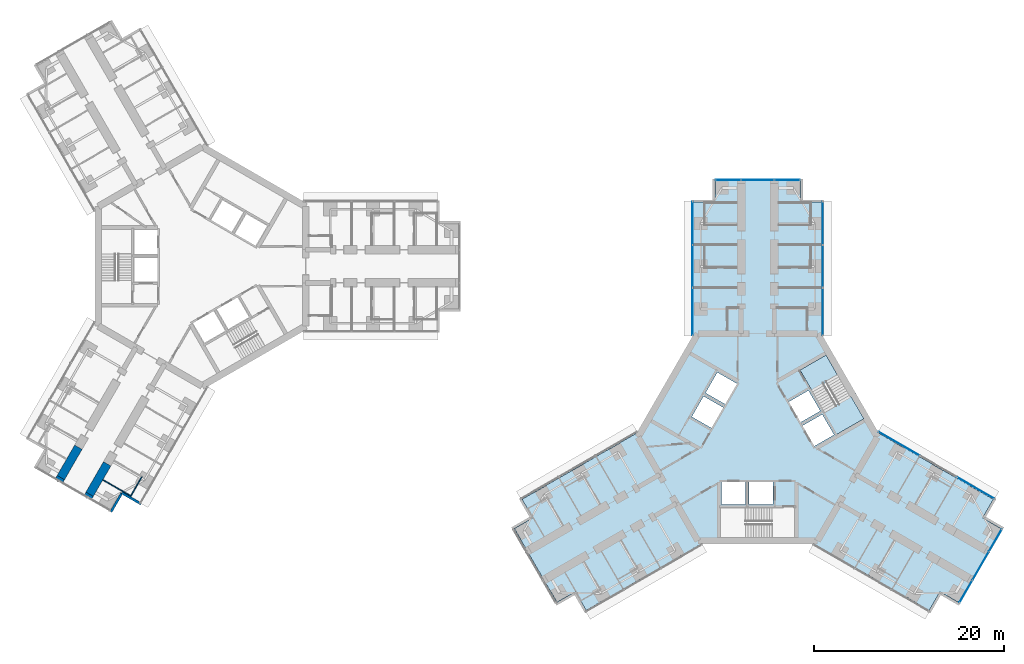
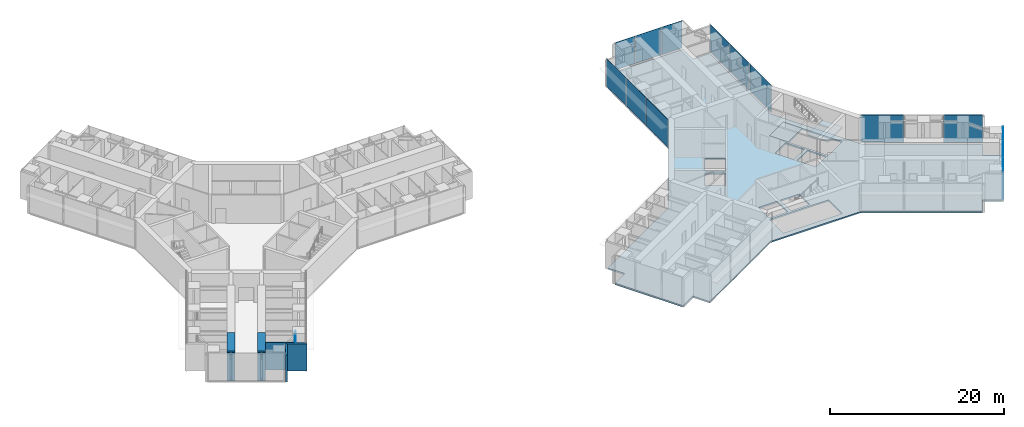
# One storey, part 15 of 25: 14 plates, 8 walls, 3 slabs, 6 elements without a shape of their own.
"""IFC4 building model written with IfcOpenShell, lengths in metres."""

from ifc_helpers import new_model, si_unit, direction, frame, frame_2d, origin, origin_2d, place, context, subcontext, project, spatial, polyline, rectangle, outline, extrude, material, layer, layer_set, type_object, element, aggregate, save


model = new_model("IFC4")

# Units and contexts
model_context = context("Model", 3, precision=1e-05, world=origin(), true_north=direction((0.0, 1.0)))
body_context = subcontext(model_context, "Body", "Model", "MODEL_VIEW")
ifc_project = project(units=[si_unit("LENGTHUNIT", "METRE"), si_unit("AREAUNIT", "SQUARE_METRE"), si_unit("VOLUMEUNIT", "CUBIC_METRE"), si_unit("PLANEANGLEUNIT", "RADIAN"), si_unit("MASSUNIT", "GRAM", prefix="KILO")], contexts=[model_context])

# Site, building, storey
site_placement = place(None, origin())
site = spatial("IfcSite", under=ifc_project, at=site_placement, CompositionType="ELEMENT")
building_placement = place(site_placement, origin())
building = spatial("IfcBuilding", under=site, at=building_placement, Name="Upepo Twin Towers", CompositionType="ELEMENT")
storey_placement = place(building_placement, frame((0.0, 0.0, 84.5)))
storey = spatial("IfcBuildingStorey", under=building, at=storey_placement, Name="L20", CompositionType="ELEMENT", Elevation=84.5)

# Curtain wall, plates
ifc_material_1 = material(Name="Aluminium and fritted glass", Category="aluminium")
curtain_wall_type = type_object("IfcCurtainWallType", Name="Tower curtain wall TW1, fritted glass", PredefinedType="NOTDEFINED", material=ifc_material_1)
curtain_wall_1_placement = place(storey_placement, origin())
curtain_wall_1 = element("IfcCurtainWall", 1, at=curtain_wall_1_placement, inside=storey, type_object=curtain_wall_type, Name="T2 L20 wing A flank L curtain wall", PredefinedType="NOTDEFINED")
ifc_material_2 = material(Name="Ceramic-fritted laminated glass", Category="glass")
ifc_layer_1 = layer(ifc_material_2, 0.031982421875)
ifc_layer_set_1 = layer_set([ifc_layer_1], Name="Fritted glass panel, 30 per cent dot frit, 32 mm double glazed")
plate_type_1 = type_object("IfcPlateType", Name="Fritted glass panel, 30 per cent dot frit, 32 mm double glazed", PredefinedType="CURTAIN_PANEL", material=ifc_layer_set_1)
plate_1_placement = place(storey_placement, frame((51.64990234375, -4.76513671875, 0.14990234375), z_axis=(0.0, 0.0, 1.0), x_axis=(0.0, 1.0, 0.0)))
plate_1 = element("IfcPlate", 2, at=plate_1_placement, type_object=plate_type_1, Name="T2 L20 wing A flank L curtain wall panel 1", PredefinedType="CURTAIN_PANEL", context=body_context, shape_type="SweptSolid", body=[
    extrude(rectangle(XDim=4.96533203125, YDim=0.031982421875, at=origin_2d()), origin(), (0.0, 0.0, 1.0), 3.85009765625),
])
plate_2_placement = place(storey_placement, frame((51.64990234375, 0.0, 0.14990234375), z_axis=(0.0, 0.0, 1.0), x_axis=(0.0, 1.0, 0.0)))
plate_2 = element("IfcPlate", 3, at=plate_2_placement, type_object=plate_type_1, Name="T2 L20 wing A flank L curtain wall panel 2", PredefinedType="CURTAIN_PANEL", context=body_context, shape_type="SweptSolid", body=[
    extrude(rectangle(XDim=4.43505859375, YDim=0.031982421875, at=origin_2d()), origin(), (0.0, 0.0, 1.0), 3.85009765625),
])
plate_3_placement = place(storey_placement, frame((51.64990234375, 4.53369140625, 0.14990234375), z_axis=(0.0, 0.0, 1.0), x_axis=(0.0, 1.0, 0.0)))
plate_3 = element("IfcPlate", 4, at=plate_3_placement, type_object=plate_type_1, Name="T2 L20 wing A flank L curtain wall panel 3", PredefinedType="CURTAIN_PANEL", context=body_context, shape_type="SweptSolid", body=[
    extrude(rectangle(XDim=4.50244140625, YDim=0.031982421875, at=origin_2d()), origin(), (0.0, 0.0, 1.0), 3.85009765625),
])
aggregate(curtain_wall_1, [plate_1, plate_2, plate_3])

curtain_wall_2_placement = place(storey_placement, origin())
curtain_wall_2 = element("IfcCurtainWall", 5, at=curtain_wall_2_placement, inside=storey, type_object=curtain_wall_type, Name="T2 L20 wing A flank R curtain wall", PredefinedType="NOTDEFINED")
plate_4_placement = place(storey_placement, frame((65.35009765625, 4.53369140625, 0.14990234375), z_axis=(0.0, 0.0, 1.0), x_axis=(0.0, -1.0, 0.0)))
plate_4 = element("IfcPlate", 6, at=plate_4_placement, type_object=plate_type_1, Name="T2 L20 wing A flank R curtain wall panel 1", PredefinedType="CURTAIN_PANEL", context=body_context, shape_type="SweptSolid", body=[
    extrude(rectangle(XDim=4.50244140625, YDim=0.031982421875, at=origin_2d()), origin(), (0.0, 0.0, 1.0), 3.85009765625),
])
plate_5_placement = place(storey_placement, frame((65.35009765625, 0.0, 0.14990234375), z_axis=(0.0, 0.0, 1.0), x_axis=(0.0, -1.0, 0.0)))
plate_5 = element("IfcPlate", 7, at=plate_5_placement, type_object=plate_type_1, Name="T2 L20 wing A flank R curtain wall panel 2", PredefinedType="CURTAIN_PANEL", context=body_context, shape_type="SweptSolid", body=[
    extrude(rectangle(XDim=4.43505859375, YDim=0.031982421875, at=origin_2d()), origin(), (0.0, 0.0, 1.0), 3.85009765625),
])
plate_6_placement = place(storey_placement, frame((65.35009765625, -4.76513671875, 0.14990234375), z_axis=(0.0, 0.0, 1.0), x_axis=(0.0, -1.0, 0.0)))
plate_6 = element("IfcPlate", 8, at=plate_6_placement, type_object=plate_type_1, Name="T2 L20 wing A flank R curtain wall panel 3", PredefinedType="CURTAIN_PANEL", context=body_context, shape_type="SweptSolid", body=[
    extrude(rectangle(XDim=4.96533203125, YDim=0.031982421875, at=origin_2d()), origin(), (0.0, 0.0, 1.0), 3.85009765625),
])
aggregate(curtain_wall_2, [plate_4, plate_5, plate_6])

# Curtain wall, plate
curtain_wall_3_placement = place(storey_placement, origin())
curtain_wall_3 = element("IfcCurtainWall", 9, at=curtain_wall_3_placement, inside=storey, type_object=curtain_wall_type, Name="T2 L20 wing A nose curtain wall", PredefinedType="NOTDEFINED")
plate_7_placement = place(storey_placement, frame((58.5, 9.10009765625, 0.14990234375), z_axis=(0.0, 0.0, 1.0), x_axis=(-1.0, 0.0, 0.0)))
plate_7 = element("IfcPlate", 10, at=plate_7_placement, type_object=plate_type_1, Name="T2 L20 wing A nose curtain wall panel 2", PredefinedType="CURTAIN_PANEL", context=body_context, shape_type="SweptSolid", body=[
    extrude(rectangle(XDim=3.43505859375, YDim=0.031982421875, at=origin_2d()), origin(), (0.0, 0.0, 1.0), 3.85009765625),
])

# Curtain wall, plates
curtain_wall_4_placement = place(storey_placement, origin())
curtain_wall_4 = element("IfcCurtainWall", 11, at=curtain_wall_4_placement, inside=storey, type_object=curtain_wall_type, Name="T2 L20 wing C flank L curtain wall", PredefinedType="NOTDEFINED")
plate_8_placement = place(storey_placement, frame((73.38671875, -18.68505859375, 0.14990234375), z_axis=(0.0, 0.0, 1.0), x_axis=(0.866025389682, -0.500000024426, 0.0)))
plate_8 = element("IfcPlate", 12, at=plate_8_placement, type_object=plate_type_1, Name="T2 L20 wing C flank L curtain wall panel 1", PredefinedType="CURTAIN_PANEL", context=body_context, shape_type="SweptSolid", body=[
    extrude(rectangle(XDim=4.96533203125, YDim=0.031982421875, at=origin_2d()), origin(), (0.0, 0.0, 1.0), 3.85009765625),
])
plate_9_placement = place(storey_placement, frame((81.439697265625, -23.334716796875, 0.14990234375), z_axis=(0.0, 0.0, 1.0), x_axis=(0.866025389682, -0.500000024426, 0.0)))
plate_9 = element("IfcPlate", 13, at=plate_9_placement, type_object=plate_type_1, Name="T2 L20 wing C flank L curtain wall panel 3", PredefinedType="CURTAIN_PANEL", context=body_context, shape_type="SweptSolid", body=[
    extrude(rectangle(XDim=4.50244140625, YDim=0.031982421875, at=origin_2d()), origin(), (0.0, 0.0, 1.0), 3.85009765625),
])
aggregate(curtain_wall_4, [plate_8, plate_9])

# Curtain wall, plate
curtain_wall_5_placement = place(storey_placement, origin())
curtain_wall_5 = element("IfcCurtainWall", 14, at=curtain_wall_5_placement, inside=storey, type_object=curtain_wall_type, Name="T2 L20 wing C nose curtain wall", PredefinedType="NOTDEFINED")
plate_10_placement = place(storey_placement, frame((81.96923828125, -31.550048828125, 0.14990234375), z_axis=(0.0, 0.0, 1.0), x_axis=(0.500000030502, 0.866025386174, 0.0)))
plate_10 = element("IfcPlate", 15, at=plate_10_placement, type_object=plate_type_1, Name="T2 L20 wing C nose curtain wall panel 2", PredefinedType="CURTAIN_PANEL", context=body_context, shape_type="SweptSolid", body=[
    extrude(rectangle(XDim=3.43505859375, YDim=0.031982421875, at=origin_2d()), origin(), (0.0, 0.0, 1.0), 3.85009765625),
])

# Plate
ifc_material_3 = material(Name="Clear laminated glass in opening sash", Category="glass")
ifc_layer_2 = layer(ifc_material_3, 0.031982421875)
ifc_layer_set_2 = layer_set([ifc_layer_2], Name="Operable glass panel, 32 mm double glazed")
plate_type_2 = type_object("IfcPlateType", Name="Operable glass panel, 32 mm double glazed", PredefinedType="CURTAIN_PANEL", material=ifc_layer_set_2)
plate_11_placement = place(storey_placement, frame((61.608642578125, 9.10009765625, 0.14990234375), z_axis=(0.0, 0.0, 1.0), x_axis=(-1.0, 0.0, 0.0)))
plate_11 = element("IfcPlate", 16, at=plate_11_placement, type_object=plate_type_2, Name="T2 L20 wing A nose curtain wall panel 1", PredefinedType="CURTAIN_PANEL", context=body_context, shape_type="SweptSolid", body=[
    extrude(rectangle(XDim=2.652587890625, YDim=0.031982421875, at=origin_2d()), origin(), (0.0, 0.0, 1.0), 3.85009765625),
])

plate_12_placement = place(storey_placement, frame((55.391357421875, 9.10009765625, 0.14990234375), z_axis=(0.0, 0.0, 1.0), x_axis=(-1.0, 0.0, 0.0)))
plate_12 = element("IfcPlate", 17, at=plate_12_placement, type_object=plate_type_2, Name="T2 L20 wing A nose curtain wall panel 3", PredefinedType="CURTAIN_PANEL", context=body_context, shape_type="SweptSolid", body=[
    extrude(rectangle(XDim=2.652587890625, YDim=0.031982421875, at=origin_2d()), origin(), (0.0, 0.0, 1.0), 3.85009765625),
])

aggregate(curtain_wall_3, [plate_11, plate_7, plate_12])

plate_13_placement = place(storey_placement, frame((80.414794921875, -34.2421875, 0.14990234375), z_axis=(0.0, 0.0, 1.0), x_axis=(0.500000030502, 0.866025386174, 0.0)))
plate_13 = element("IfcPlate", 18, at=plate_13_placement, type_object=plate_type_2, Name="T2 L20 wing C nose curtain wall panel 1", PredefinedType="CURTAIN_PANEL", context=body_context, shape_type="SweptSolid", body=[
    extrude(rectangle(XDim=2.652587890625, YDim=0.031982421875, at=origin_2d()), origin(), (0.0, 0.0, 1.0), 3.85009765625),
])

plate_14_placement = place(storey_placement, frame((83.523681640625, -28.857666015625, 0.14990234375), z_axis=(0.0, 0.0, 1.0), x_axis=(0.500000030502, 0.866025386174, 0.0)))
plate_14 = element("IfcPlate", 19, at=plate_14_placement, type_object=plate_type_2, Name="T2 L20 wing C nose curtain wall panel 3", PredefinedType="CURTAIN_PANEL", context=body_context, shape_type="SweptSolid", body=[
    extrude(rectangle(XDim=2.652587890625, YDim=0.031982421875, at=origin_2d()), origin(), (0.0, 0.0, 1.0), 3.85009765625),
])

aggregate(curtain_wall_5, [plate_13, plate_10, plate_14])

# Stair, slabs
ifc_material_4 = material(Name="Concrete C40/50", Category="concrete")
stair_type = type_object("IfcStairType", Name="Core stair, two flights", PredefinedType="HALF_TURN_STAIR", material=ifc_material_4)
stair_placement = place(storey_placement, origin())
stair = element("IfcStair", 20, at=stair_placement, inside=storey, type_object=stair_type, Name="T2 stair S2 L20", PredefinedType="HALF_TURN_STAIR")
ifc_material_5 = material(Name="Concrete C40/50", Category="concrete")
ifc_layer_3 = layer(ifc_material_5, 0.199951171875)
ifc_layer_set_3 = layer_set([ifc_layer_3], Name="Concrete C40/50")
slab_type_1 = type_object("IfcSlabType", Name="Stair landing 200 RC", PredefinedType="LANDING", material=ifc_layer_set_3)
slab_1_placement = place(storey_placement, frame((0.0, 0.0, -0.199951171875)))
slab_1 = element("IfcSlab", 21, at=slab_1_placement, type_object=slab_type_1, Name="Stair S2 landing 1", PredefinedType="LANDING", context=body_context, shape_type="SweptSolid", body=[
    extrude(outline(polyline([(64.198486328125, -13.0703125), (66.933837890625, -11.490966796875), (65.69384765625, -9.34326171875), (62.95849609375, -10.922607421875), (64.198486328125, -13.0703125)])), origin(), (0.0, 0.0, 1.0), 0.199951171875),
])
slab_2_placement = place(storey_placement, frame((0.0, 0.0, 1.800048828125)))
slab_2 = element("IfcSlab", 22, at=slab_2_placement, type_object=slab_type_1, Name="Stair S2 landing 2", PredefinedType="LANDING", context=body_context, shape_type="SweptSolid", body=[
    extrude(outline(polyline([(66.77197265625, -17.7275390625), (69.680419921875, -16.04833984375), (68.3203125, -13.692626953125), (65.411865234375, -15.371826171875), (66.77197265625, -17.7275390625)])), origin(), (0.0, 0.0, 1.0), 0.199951171875),
])
aggregate(stair, [slab_1, slab_2])

# Slab
ifc_material_6 = material(Name="Concrete C40/50", Category="concrete")
ifc_layer_4 = layer(ifc_material_6, 0.199951171875)
ifc_layer_set_4 = layer_set([ifc_layer_4], Name="Concrete C40/50")
slab_type_2 = type_object("IfcSlabType", Name="Tower floor slab 200 RC", PredefinedType="FLOOR", material=ifc_layer_set_4)
slab_3_placement = place(storey_placement, frame((0.0, 0.0, -0.199951171875)))
element("IfcSlab", 23, at=slab_3_placement, inside=storey, type_object=slab_type_2, Name="T2 L20 floor slab", PredefinedType="FLOOR", context=body_context, shape_type="SweptSolid", body=[
    extrude(outline(polyline([(82.18408203125, -26.477783203125), (84.132568359375, -27.602783203125), (79.632568359375, -35.397216796875), (77.68408203125, -34.272216796875), (76.55908203125, -36.220703125), (64.5, -29.25830078125), (52.5, -29.25830078125), (40.44091796875, -36.220703125), (39.31591796875, -34.272216796875), (37.367431640625, -35.397216796875), (32.867431640625, -27.602783203125), (34.81591796875, -26.477783203125), (33.69091796875, -24.529296875), (45.75, -17.56689453125), (51.75, -7.174560546875), (51.75, 6.75), (54.0, 6.75), (54.0, 9.0), (63.0, 9.0), (63.0, 6.75), (65.25, 6.75), (65.25, -7.174560546875), (71.25, -17.56689453125), (83.30908203125, -24.529296875), (82.18408203125, -26.477783203125)]), holes=[polyline([(56.32958984375, -12.359130859375), (54.251220703125, -11.1591796875), (53.001220703125, -13.32421875), (55.07958984375, -14.524169921875), (56.32958984375, -12.359130859375)]), polyline([(54.879638671875, -14.87060546875), (52.80126953125, -13.670654296875), (51.55126953125, -15.835693359375), (53.629638671875, -17.03564453125), (54.879638671875, -14.87060546875)]), polyline([(54.699951171875, -22.699951171875), (54.699951171875, -25.10009765625), (57.199951171875, -25.10009765625), (57.199951171875, -22.699951171875), (54.699951171875, -22.699951171875)]), polyline([(57.60009765625, -22.699951171875), (57.60009765625, -25.10009765625), (60.10009765625, -25.10009765625), (60.10009765625, -22.699951171875), (57.60009765625, -22.699951171875)]), polyline([(54.60009765625, -25.39990234375), (54.60009765625, -28.558349609375), (62.39990234375, -28.558349609375), (62.39990234375, -25.39990234375), (54.60009765625, -25.39990234375)]), polyline([(64.47021484375, -18.94091796875), (66.548828125, -17.740966796875), (65.298828125, -15.575927734375), (63.22021484375, -16.77587890625), (64.47021484375, -18.94091796875)]), polyline([(63.020263671875, -16.429443359375), (65.098876953125, -15.2294921875), (63.848876953125, -13.064453125), (61.770263671875, -14.264404296875), (63.020263671875, -16.429443359375)]), polyline([(66.858642578125, -17.677490234375), (69.59375, -16.098388671875), (65.69384765625, -9.34326171875), (62.95849609375, -10.922607421875), (66.858642578125, -17.677490234375)])]), origin(), (0.0, 0.0, 1.0), 0.199951171875),
])

# Walls
ifc_material_7 = material(Name="Dense concrete blockwork", Category="masonry")
ifc_layer_5 = layer(ifc_material_7, 0.89990234375)
ifc_layer_set_5 = layer_set([ifc_layer_5], Name="Buttress closer 900, blockwork with fire-stopping to the curtain wall")
wall_type_1 = type_object("IfcWallType", Name="Buttress closer 900, blockwork with fire-stopping to the curtain wall", PredefinedType="PARTITIONING", material=ifc_layer_set_5)
for number, where, z_axis, x_axis, name in (
    (24, (-11.83447265625, -23.997802734375, 0.0), (0.0, 0.0, 1.0), (-0.499949632511, -0.866054481515, 0.0), "T1 L20 wing C buttress closer L"),
    (25, (-14.865478515625, -22.247802734375, 0.0), (0.0, 0.0, 1.0), (-0.499949632511, -0.866054481515, 0.0), "T1 L20 wing C buttress closer R"),
):
    element("IfcWall", number, at=place(storey_placement, frame(where, z_axis=z_axis, x_axis=x_axis)), inside=storey, type_object=wall_type_1, Name=name, PredefinedType="PARTITIONING", context=body_context, shape_type="SweptSolid", body=[
        extrude(rectangle(XDim=0.31005859375, YDim=0.89990234375, at=frame_2d((0.155029296875, 0.0))), origin(), (0.0, 0.0, 1.0), 3.800048828125),
    ])
ifc_material_8 = material(Name="Concrete C60/75", Category="concrete")
ifc_layer_6 = layer(ifc_material_8, 0.89990234375)
ifc_layer_set_6 = layer_set([ifc_layer_6], Name="Concrete C60/75")
wall_type_2 = type_object("IfcWallType", Name="Buttress wall 900 RC", PredefinedType="SHEAR", material=ifc_layer_set_6)
wall_1_placement = place(storey_placement, frame((-9.984375, -20.793701171875, 0.0), z_axis=(0.0, 0.0, 1.0), x_axis=(-0.500042316284, -0.866000971088, 0.0)))
element("IfcWall", 26, at=wall_1_placement, inside=storey, type_object=wall_type_2, Name="T1 wing C buttress wall L part 3", PredefinedType="SHEAR", context=body_context, shape_type="SweptSolid", body=[
    extrude(rectangle(XDim=3.699951171875, YDim=0.89990234375, at=frame_2d((1.85009765625, 0.0))), origin(), (0.0, 0.0, 1.0), 4.0),
])
wall_2_placement = place(storey_placement, frame((-13.015625, -19.043701171875, 0.0), z_axis=(0.0, 0.0, 1.0), x_axis=(-0.499992827086, -0.866029545028, 0.0)))
element("IfcWall", 27, at=wall_2_placement, inside=storey, type_object=wall_type_2, Name="T1 wing C buttress wall R part 3", PredefinedType="SHEAR", context=body_context, shape_type="SweptSolid", body=[
    extrude(rectangle(XDim=3.69970703125, YDim=0.89990234375, at=frame_2d((1.849853515625, 0.0))), origin(), (0.0, 0.0, 1.0), 4.0),
])
ifc_material_9 = material(Name="Blockwork with anodised aluminium cladding", Category="masonry")
ifc_layer_7 = layer(ifc_material_9, 0.25)
ifc_layer_set_7 = layer_set([ifc_layer_7], Name="Notch cladding wall 250, pale metal")
wall_type_3 = type_object("IfcWallType", Name="Notch cladding wall 250, pale metal", PredefinedType="STANDARD", material=ifc_layer_set_7)
for number, where, z_axis, x_axis, name in (
    (28, (-6.418701171875, -25.017333984375, 0.0), (0.0, 0.0, 1.0), (-0.866043940782, 0.499967891604, 0.0), "T1 L20 wing C notch wall L1"),
    (29, (-8.43212890625, -23.85498046875, 0.0), (0.0, 0.0, 1.0), (-0.500046648681, -0.865998469481, 0.0), "T1 L20 wing C notch wall L2"),
):
    element("IfcWall", number, at=place(storey_placement, frame(where, z_axis=z_axis, x_axis=x_axis)), inside=storey, type_object=wall_type_3, Name=name, PredefinedType="STANDARD", context=body_context, shape_type="SweptSolid", body=[
        extrude(rectangle(XDim=2.324951171875, YDim=0.25, at=frame_2d((1.16259765625, 0.0))), origin(), (0.0, 0.0, 1.0), 3.800048828125),
    ])
ifc_material_10 = material(Name="Gypsum board on steel studs", Category="steel")
ifc_layer_8 = layer(ifc_material_10, 0.10009765625)
ifc_layer_set_8 = layer_set([ifc_layer_8], Name="Office partition 100 stud")
wall_type_4 = type_object("IfcWallType", Name="Office partition 100 stud", PredefinedType="PARTITIONING", material=ifc_layer_set_8)
wall_3_placement = place(storey_placement, frame((-6.3251953125, -22.15576171875, 0.0), z_axis=(0.0, 0.0, 1.0), x_axis=(-0.500001309137, -0.866024647952, 0.0)))
element("IfcWall", 30, at=wall_3_placement, inside=storey, type_object=wall_type_4, Name="T1 inner room partition CL at 22.35", PredefinedType="PARTITIONING", context=body_context, shape_type="SweptSolid", body=[
    extrude(rectangle(XDim=2.39990234375, YDim=0.10009765625, at=frame_2d((1.199951171875, 0.0))), origin(), (0.0, 0.0, 1.0), 3.800048828125),
])
wall_4_placement = place(storey_placement, frame((-10.44482421875, -22.49072265625, 0.0), z_axis=(0.0, 0.0, 1.0), x_axis=(0.866007419912, -0.500031147688, 0.0)))
element("IfcWall", 31, at=wall_4_placement, inside=storey, type_object=wall_type_4, Name="T1 inner room partition CL end at 24.75", PredefinedType="PARTITIONING", context=body_context, shape_type="SweptSolid", body=[
    extrude(rectangle(XDim=3.400146484375, YDim=0.10009765625, at=frame_2d((1.7001953125, 0.0))), origin(), (0.0, 0.0, 1.0), 3.800048828125),
])

save(model, "model.ifc")
